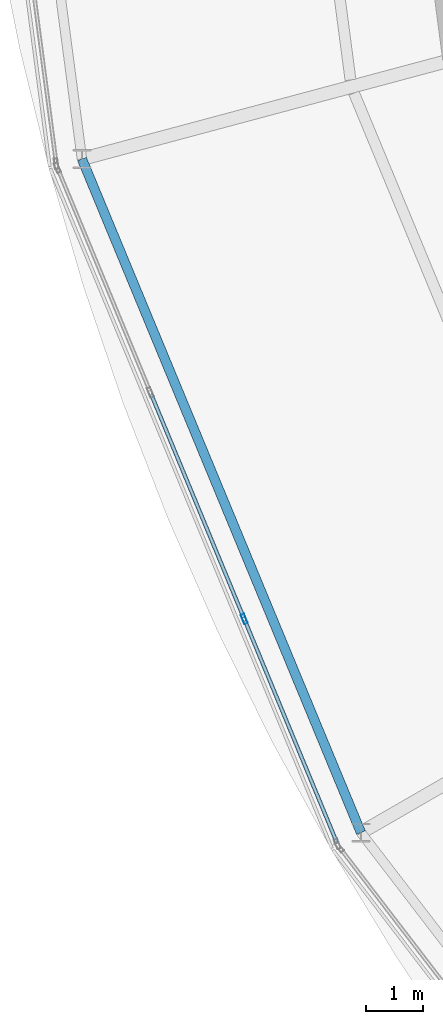
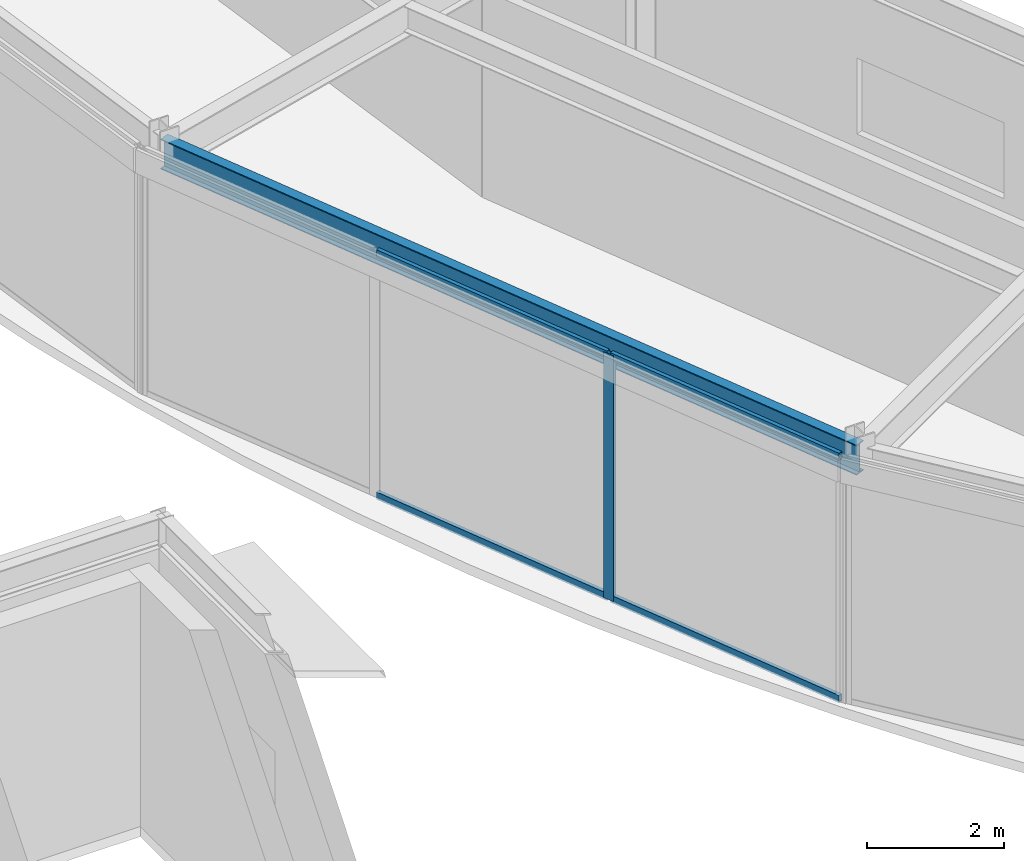
# One storey, part 25 of 133: 5 members, 1 beam, 1 element without a shape of its own.
"""IFC4 building model written with IfcOpenShell, lengths in metres."""

import ifcopenshell
import ifcopenshell.guid

model = None  # the IFC model being written
_history = None  # IfcOwnerHistory: only IFC2X3 demands one
_inside = {}  # id of a spatial element -> (the spatial element, [elements in it])
_under = {}  # id of a project, library or spatial element -> (it, [spatial elements below it])
_declared = {}  # id of a project -> (the project, [libraries it declares])
_typed = {}  # id of a type object -> (the type object, [elements of that type])
_made_of = {}  # id of a material, layer set ... -> (it, [elements and type objects made of it])


def new_model(schema):
    """Start an empty IFC model of exactly this schema.

    Asked for "IFC4X3", IfcOpenShell would pick the latest addendum, in which some entities
    have other attributes; the version numbers below select the first issue.
    IFC2X3 requires an IfcOwnerHistory on every rooted entity: one is made here for all.
    """
    global model, _history
    if schema == "IFC4X3":
        model = ifcopenshell.file(schema_version=(4, 3, 0, 0))
    else:
        model = ifcopenshell.file(schema=schema)
    _inside.clear()
    _under.clear()
    _declared.clear()
    _typed.clear()
    _made_of.clear()
    _history = None
    if model.schema == "IFC2X3":
        org = make("IfcOrganization", Name="unknown")
        user = make(
            "IfcPersonAndOrganization",
            ThePerson=make("IfcPerson", FamilyName="unknown"),
            TheOrganization=org,
        )
        app = make(
            "IfcApplication",
            ApplicationDeveloper=org,
            Version="unknown",
            ApplicationFullName="unknown",
            ApplicationIdentifier="unknown",
        )
        _history = make(
            "IfcOwnerHistory",
            OwningUser=user,
            OwningApplication=app,
            ChangeAction="ADDED",
            CreationDate=0,
        )
    return model


def make(cls, **values):
    """One entity of the class cls with the attributes given. An attribute that is None is left unset."""
    return model.create_entity(
        cls, **{name: value for name, value in values.items() if value is not None}
    )


def rooted(cls, **values):
    """An entity with a GlobalId (a new one), such as an element, a storey or a relation."""
    return make(cls, GlobalId=ifcopenshell.guid.new(), OwnerHistory=_history, **values)


def si_unit(unit_type, name, prefix=None):
    """IfcSIUnit, for example si_unit("LENGTHUNIT", "METRE", prefix="MILLI")."""
    return make("IfcSIUnit", UnitType=unit_type, Prefix=prefix, Name=name)


def assignment(units):
    """IfcUnitAssignment: the units of a project."""
    return None if units is None else make("IfcUnitAssignment", Units=units)


def point(xyz):
    """IfcCartesianPoint."""
    return None if xyz is None else make("IfcCartesianPoint", Coordinates=xyz)


def direction(xyz):
    """IfcDirection."""
    return None if xyz is None else make("IfcDirection", DirectionRatios=xyz)


def frame(location, z_axis=None, x_axis=None):
    """IfcAxis2Placement3D, a coordinate frame: its origin and axes. An axis left out is left unset."""
    return make(
        "IfcAxis2Placement3D",
        Location=point(location),
        Axis=direction(z_axis),
        RefDirection=direction(x_axis),
    )


def frame_2d(location, x_axis=None):
    """IfcAxis2Placement2D, a coordinate frame in the plane: its origin and x axis."""
    return make(
        "IfcAxis2Placement2D", Location=point(location), RefDirection=direction(x_axis)
    )


def origin():
    """The frame at (0, 0, 0) with its axes left unset."""
    return frame((0.0, 0.0, 0.0))


def origin_2d():
    """The frame at (0, 0) in the plane with its x axis left unset."""
    return frame_2d((0.0, 0.0))


def place(relative_to, where):
    """IfcLocalPlacement: puts the frame where relative to a parent placement (None: the world)."""
    return make(
        "IfcLocalPlacement", PlacementRelTo=relative_to, RelativePlacement=where
    )


def context(
    kind, dimensions, precision=None, world=None, true_north=None, identifier=None
):
    """IfcGeometricRepresentationContext, for example the 3D "Model" context."""
    return make(
        "IfcGeometricRepresentationContext",
        ContextIdentifier=identifier,
        ContextType=kind,
        CoordinateSpaceDimension=dimensions,
        Precision=precision,
        WorldCoordinateSystem=world,
        TrueNorth=true_north,
    )


def subcontext(parent, identifier, kind, view, scale=None):
    """IfcGeometricRepresentationSubContext, for example "Body" below "Model"."""
    return make(
        "IfcGeometricRepresentationSubContext",
        ContextIdentifier=identifier,
        ContextType=kind,
        ParentContext=parent,
        TargetScale=scale,
        TargetView=view,
    )


def project(units=None, contexts=None):
    """IfcProject with its units and contexts."""
    return rooted(
        "IfcProject",
        Name="project",
        RepresentationContexts=contexts,
        UnitsInContext=assignment(units),
    )


def spatial(cls, under=None, at=None, **own):
    """A site, building, storey or space (cls), placed at a placement, below another one or the project."""
    s = rooted(cls, ObjectPlacement=at, **own)
    if under is not None:
        _under.setdefault(under.id(), (under, []))[1].append(s)
    return s


def profile(cls, at=None, kind="AREA", **sizes):
    """A parametric profile (cls). Its sizes go by their IFC names, for example OverallWidth=200.0."""
    return make(cls, ProfileType=kind, Position=at, **sizes)


def hollow_rectangle(**sizes):
    """IfcRectangleHollowProfileDef."""
    return profile("IfcRectangleHollowProfileDef", **sizes)


def i_section(**sizes):
    """IfcIShapeProfileDef."""
    return profile("IfcIShapeProfileDef", **sizes)


def extrude(swept, where, along, depth):
    """IfcExtrudedAreaSolid: the profile swept, set in the frame where, extruded along a direction by depth."""
    return make(
        "IfcExtrudedAreaSolid",
        SweptArea=swept,
        Position=where,
        ExtrudedDirection=direction(along),
        Depth=depth,
    )


def shape(context_of_items, identifier, shape_type, items):
    """IfcShapeRepresentation: the items that make up one representation, for example the "Body"."""
    return make(
        "IfcShapeRepresentation",
        ContextOfItems=context_of_items,
        RepresentationIdentifier=identifier,
        RepresentationType=shape_type,
        Items=items,
    )


def material(Name=None, Category=None):
    """IfcMaterial."""
    return make("IfcMaterial", Name=Name, Category=Category)


def material_profile(
    of_material, cross_section, Name=None, Category=None, Priority=None
):
    """IfcMaterialProfile: a cross section and its material."""
    return make(
        "IfcMaterialProfile",
        Name=Name,
        Material=of_material,
        Profile=cross_section,
        Priority=Priority,
        Category=Category,
    )


def profile_set(profiles, Name=None, composite=None):
    """IfcMaterialProfileSet."""
    return make(
        "IfcMaterialProfileSet",
        Name=Name,
        MaterialProfiles=profiles,
        CompositeProfile=composite,
    )


def made_of(thing, what):
    """Note that an element or type object is made of a material, layer set ...; save() writes the relation."""
    if what is not None:
        _made_of.setdefault(what.id(), (what, []))[1].append(thing)
    return thing


def type_object(cls, material=None, **own):
    """A type object (cls), such as IfcWallType, which elements share."""
    return made_of(rooted(cls, **own), material)


def element(
    cls,
    number,
    at=None,
    inside=None,
    cuts=None,
    type_object=None,
    material=None,
    context=None,
    identifier="Body",
    shape_type=None,
    held_by="IfcProductDefinitionShape",
    body=None,
    shapes=None,
    **own,
):
    """One element of the class cls, such as IfcWall. Its Tag is "e" and its number.

    at: its placement. inside: the storey or other place that contains it. cuts: it is an
    opening in that element (IfcRelVoidsElement). A single representation is given by context,
    identifier, shape_type and body (its items); several are given by shapes. held_by: the class
    of the entity that holds the representations. save() writes the other relations.
    """
    e = rooted(cls, Tag="e%d" % number, ObjectPlacement=at, **own)
    if body is not None:
        shapes = [shape(context, identifier, shape_type, body)]
    if shapes is not None:
        e.Representation = make(held_by, Representations=shapes)
    if inside is not None:
        _inside.setdefault(inside.id(), (inside, []))[1].append(e)
    if cuts is not None:
        rooted(
            "IfcRelVoidsElement", RelatingBuildingElement=cuts, RelatedOpeningElement=e
        )
    if type_object is not None:
        _typed.setdefault(type_object.id(), (type_object, []))[1].append(e)
    return made_of(e, material)


def aggregate(whole, parts):
    """IfcRelAggregates: a whole, such as a stair, and the parts it consists of."""
    return rooted("IfcRelAggregates", RelatingObject=whole, RelatedObjects=parts)


def save(model, path):
    """Write the relations noted so far, then the file.

    IfcRelAggregates (storeys below a building ...), IfcRelContainedInSpatialStructure (elements
    in a storey), IfcRelDefinesByType, IfcRelAssociatesMaterial and IfcRelDeclares: one each for
    every whole, place, type object, material and project.
    """
    for whole, parts in _under.values():
        aggregate(whole, parts)
    for where, things in _inside.values():
        rooted(
            "IfcRelContainedInSpatialStructure",
            RelatedElements=things,
            RelatingStructure=where,
        )
    for kind, things in _typed.values():
        rooted("IfcRelDefinesByType", RelatedObjects=things, RelatingType=kind)
    for what, things in _made_of.values():
        rooted("IfcRelAssociatesMaterial", RelatedObjects=things, RelatingMaterial=what)
    for by, libraries in _declared.values():
        rooted("IfcRelDeclares", RelatingContext=by, RelatedDefinitions=libraries)
    model.write(path)


model = new_model("IFC4")

# Units and contexts
model_context = context("Model", 3, precision=1e-05, world=origin(), true_north=direction((0.0, 1.0)))
body_context = subcontext(model_context, "Body", "Model", "MODEL_VIEW")
ifc_project = project(units=[si_unit("LENGTHUNIT", "METRE"), si_unit("AREAUNIT", "SQUARE_METRE"), si_unit("VOLUMEUNIT", "CUBIC_METRE"), si_unit("PLANEANGLEUNIT", "RADIAN"), si_unit("MASSUNIT", "GRAM", prefix="KILO")], contexts=[model_context])

# Site, building, storey
site_placement = place(None, origin())
site = spatial("IfcSite", under=ifc_project, at=site_placement, CompositionType="ELEMENT")
building_placement = place(site_placement, origin())
building = spatial("IfcBuilding", under=site, at=building_placement, Name="Almandine Court Research Institute", CompositionType="ELEMENT")
storey_placement = place(building_placement, frame((0.0, 0.0, 9.800048828125)))
storey = spatial("IfcBuildingStorey", under=building, at=storey_placement, Name="L02", CompositionType="ELEMENT", Elevation=9.800048828125)

# Beam
ifc_material_1 = material(Name="Steel ASTM A992 Grade 50", Category="steel")
ifc_material_profile_1 = material_profile(ifc_material_1, i_section(OverallWidth=0.166015625, OverallDepth=0.534912109375, WebThickness=0.010009765625, FlangeThickness=0.01708984375, at=origin_2d()), Name="W530x85")
ifc_profile_set_1 = profile_set([ifc_material_profile_1], Name="Steel ASTM A992 Grade 50")
beam_type = type_object("IfcBeamType", Name="Beam-G-05-E", PredefinedType="SPANDREL", material=ifc_profile_set_1)
beam_placement = place(storey_placement, frame((39.76611328125, 43.343994140625, 4.054931640625), z_axis=(0.382653578879, -0.923891897665, 0.0), x_axis=(0.923891897665, 0.382653578879, 0.0)))
element("IfcBeam", 1, at=beam_placement, inside=storey, type_object=beam_type, Name="L02 Drum OUT Ring Beam 13", PredefinedType="SPANDREL", context=body_context, shape_type="SweptSolid", body=[
    extrude(i_section(OverallWidth=0.166015625, OverallDepth=0.534912109375, WebThickness=0.010009765625, FlangeThickness=0.01708984375, at=origin_2d()), origin(), (0.0, 0.0, 1.0), 12.765625),
])

# Curtain wall, members
ifc_material_2 = material(Name="Unitised Curtain Wall Framing and Solar Glazing", Category="glass")
curtain_wall_type = type_object("IfcCurtainWallType", Name="CW-CWJ-19", PredefinedType="USERDEFINED", material=ifc_material_2)
curtain_wall_placement = place(storey_placement, origin())
curtain_wall = element("IfcCurtainWall", 2, at=curtain_wall_placement, inside=storey, type_object=curtain_wall_type, Name="L02 Stacked-Ring Drum Outer Solar Jali Screen 13", ObjectType="SOLAR JALI SCREEN", PredefinedType="USERDEFINED")
ifc_material_3 = material(Name="Anodised Aluminium AW-6063-T6", Category="aluminium")
ifc_material_profile_2 = material_profile(ifc_material_3, hollow_rectangle(XDim=0.06494140625, YDim=0.179931640625, WallThickness=0.00390625, at=origin_2d()), Name="ALU RHS 65x180x4")
ifc_profile_set_2 = profile_set([ifc_material_profile_2], Name="Anodised Aluminium AW-6063-T6")
member_type_1 = type_object("IfcMemberType", Name="CWMul-65x180", PredefinedType="MULLION", material=ifc_profile_set_2)
member_1_placement = place(storey_placement, frame((42.6083984375, 35.2890625, 0.0), z_axis=(0.0, 0.0, 1.0), x_axis=(-0.923888124321, -0.382662689242, 0.0)))
member_1 = element("IfcMember", 3, at=member_1_placement, type_object=member_type_1, Name="CWJ-19 mullion 2", PredefinedType="MULLION", context=body_context, shape_type="SweptSolid", body=[
    extrude(hollow_rectangle(XDim=0.06494140625, YDim=0.179931640625, WallThickness=0.00390625, at=origin_2d()), origin(), (0.0, 0.0, 1.0), 4.369873046875),
])
ifc_material_profile_3 = material_profile(ifc_material_3, hollow_rectangle(XDim=0.06494140625, YDim=0.1298828125, WallThickness=0.00390625, at=origin_2d()), Name="ALU RHS 65x130x4")
ifc_profile_set_3 = profile_set([ifc_material_profile_3], Name="Anodised Aluminium AW-6063-T6")
member_type_2 = type_object("IfcMemberType", Name="CWTrn-65x130", PredefinedType="NOTDEFINED", material=ifc_profile_set_3)
member_2_placement = place(storey_placement, frame((44.22607421875, 31.383056640625, 0.032470703125), z_axis=(-0.382631051398, 0.923901227679, 0.0), x_axis=(-0.923901227679, -0.382631051398, 0.0)))
member_2 = element("IfcMember", 4, at=member_2_placement, type_object=member_type_2, Name="CWJ-19 transom 1.1", ObjectType="TRANSOM", PredefinedType="USERDEFINED", context=body_context, shape_type="SweptSolid", body=[
    extrude(hollow_rectangle(XDim=0.06494140625, YDim=0.1298828125, WallThickness=0.00390625, at=origin_2d()), origin(), (0.0, 0.0, 1.0), 4.1953125),
])
member_3_placement = place(storey_placement, frame((44.22607421875, 31.383056640625, 4.33740234375), z_axis=(-0.382631051398, 0.923901227679, 0.0), x_axis=(-0.923901227679, -0.382631051398, 0.0)))
member_3 = element("IfcMember", 5, at=member_3_placement, type_object=member_type_2, Name="CWJ-19 transom 1.2", ObjectType="TRANSOM", PredefinedType="USERDEFINED", context=body_context, shape_type="SweptSolid", body=[
    extrude(hollow_rectangle(XDim=0.06494140625, YDim=0.1298828125, WallThickness=0.00390625, at=origin_2d()), origin(), (0.0, 0.0, 1.0), 4.1953125),
])
member_4_placement = place(storey_placement, frame((42.595947265625, 35.319091796875, 0.032470703125), z_axis=(-0.382703712437, 0.92387113197, 0.0), x_axis=(-0.92387113197, -0.382703712437, 0.0)))
member_4 = element("IfcMember", 6, at=member_4_placement, type_object=member_type_2, Name="CWJ-19 transom 2.1", ObjectType="TRANSOM", PredefinedType="USERDEFINED", context=body_context, shape_type="SweptSolid", body=[
    extrude(hollow_rectangle(XDim=0.06494140625, YDim=0.1298828125, WallThickness=0.00390625, at=origin_2d()), origin(), (0.0, 0.0, 1.0), 4.2275390625),
])
member_5_placement = place(storey_placement, frame((42.595947265625, 35.319091796875, 4.33740234375), z_axis=(-0.382703712437, 0.92387113197, 0.0), x_axis=(-0.92387113197, -0.382703712437, 0.0)))
member_5 = element("IfcMember", 7, at=member_5_placement, type_object=member_type_2, Name="CWJ-19 transom 2.2", ObjectType="TRANSOM", PredefinedType="USERDEFINED", context=body_context, shape_type="SweptSolid", body=[
    extrude(hollow_rectangle(XDim=0.06494140625, YDim=0.1298828125, WallThickness=0.00390625, at=origin_2d()), origin(), (0.0, 0.0, 1.0), 4.2275390625),
])
aggregate(curtain_wall, [member_1, member_2, member_3, member_4, member_5])

save(model, "model.ifc")
